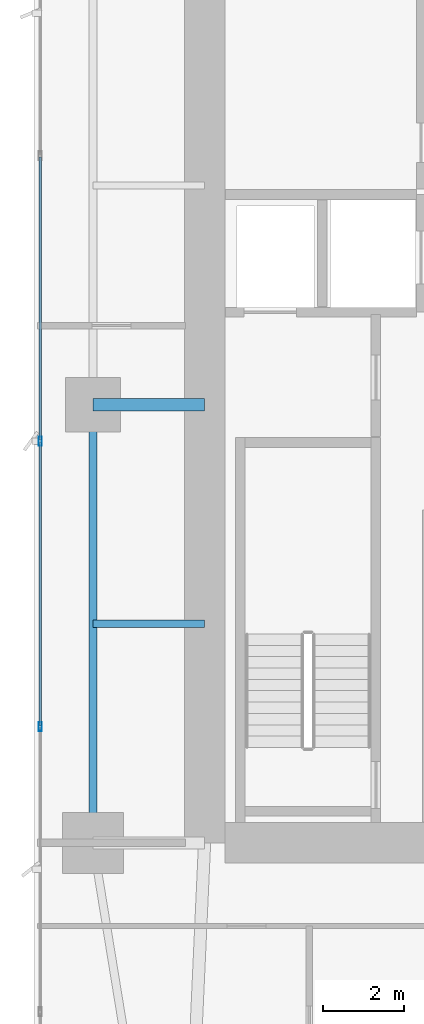
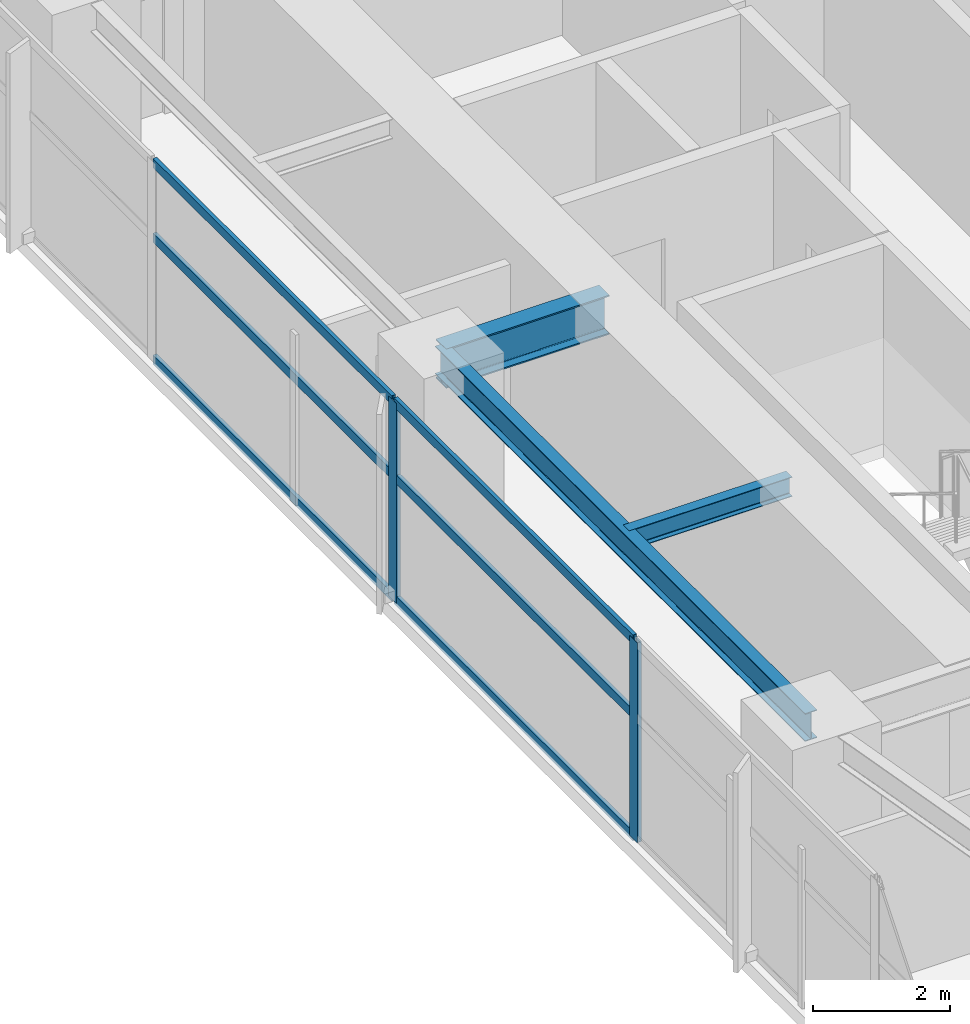
# One storey, part 8 of 29: 8 members, 3 beams, 1 element without a shape of its own.
"""IFC4 building model written with IfcOpenShell, lengths in metres."""

from ifc_helpers import new_model, si_unit, direction, frame, origin, origin_2d, place, context, subcontext, project, spatial, hollow_rectangle, i_section, extrude, material, layer, layer_set, material_profile, profile_set, type_object, element, aggregate, save


model = new_model("IFC4")

# Units and contexts
model_context = context("Model", 3, precision=1e-05, world=origin(), true_north=direction((0.0, 1.0)))
body_context = subcontext(model_context, "Body", "Model", "MODEL_VIEW")
ifc_project = project(units=[si_unit("LENGTHUNIT", "METRE"), si_unit("AREAUNIT", "SQUARE_METRE"), si_unit("VOLUMEUNIT", "CUBIC_METRE"), si_unit("PLANEANGLEUNIT", "RADIAN"), si_unit("MASSUNIT", "GRAM", prefix="KILO")], contexts=[model_context])

# Site, building, storey
site_placement = place(None, origin())
site = spatial("IfcSite", under=ifc_project, at=site_placement, CompositionType="ELEMENT")
building_placement = place(site_placement, origin())
building = spatial("IfcBuilding", under=site, at=building_placement, Name="Calvorn Quay Hotel", CompositionType="ELEMENT")
storey_placement = place(building_placement, frame((0.0, 0.0, 58.39990234375)))
storey = spatial("IfcBuildingStorey", under=building, at=storey_placement, Name="L13", CompositionType="ELEMENT", Elevation=58.39990234375)

# Beams
ifc_material_1 = material(Name="Steel Q390GJC", Category="steel")
ifc_material_profile_1 = material_profile(ifc_material_1, i_section(OverallWidth=0.300048828125, OverallDepth=0.699951171875, WebThickness=0.012939453125, FlangeThickness=0.02392578125, FilletRadius=0.02392578125, at=origin_2d()), Name="HN700x300x13x24")
ifc_profile_set_1 = profile_set([ifc_material_profile_1], Name="Steel Q390GJC")
beam_type_1 = type_object("IfcBeamType", Name="BM-GIRD-MAIN", PredefinedType="BEAM", material=ifc_profile_set_1)
beam_1_placement = place(storey_placement, frame((1.449951171875, 27.60009765625, 3.190185546875), z_axis=(1.0, 0.0, 0.0), x_axis=(0.0, 1.0, 0.0)))
element("IfcBeam", 1, at=beam_1_placement, inside=storey, type_object=beam_type_1, Name="Beam BG-L13-W2", PredefinedType="BEAM", context=body_context, shape_type="SweptSolid", body=[
    extrude(i_section(OverallWidth=0.300048828125, OverallDepth=0.699951171875, WebThickness=0.012939453125, FlangeThickness=0.02392578125, FilletRadius=0.02392578125, at=origin_2d()), origin(), (0.0, 0.0, 1.0), 2.75),
])
ifc_material_2 = material(Name="Steel Q355B", Category="steel")
ifc_material_profile_2 = material_profile(ifc_material_2, i_section(OverallWidth=0.175048828125, OverallDepth=0.35009765625, WebThickness=0.007080078125, FlangeThickness=0.010986328125, FilletRadius=0.013916015625, at=origin_2d()), Name="HN350x175x7x11")
ifc_profile_set_2 = profile_set([ifc_material_profile_2], Name="Steel Q355B")
beam_type_2 = type_object("IfcBeamType", Name="BM-JOIST-SEC", PredefinedType="JOIST", material=ifc_profile_set_2)
beam_2_placement = place(storey_placement, frame((1.449951171875, 22.199951171875, 3.364990234375), z_axis=(1.0, 0.0, 0.0), x_axis=(0.0, 1.0, 0.0)))
element("IfcBeam", 2, at=beam_2_placement, inside=storey, type_object=beam_type_2, Name="Beam BJ-L13-W3", PredefinedType="JOIST", context=body_context, shape_type="SweptSolid", body=[
    extrude(i_section(OverallWidth=0.175048828125, OverallDepth=0.35009765625, WebThickness=0.007080078125, FlangeThickness=0.010986328125, FilletRadius=0.013916015625, at=origin_2d()), origin(), (0.0, 0.0, 1.0), 2.75),
])
ifc_material_3 = material(Name="Steel Q355B", Category="steel")
ifc_material_profile_3 = material_profile(ifc_material_3, i_section(OverallWidth=0.199951171875, OverallDepth=0.5, WebThickness=0.010009765625, FlangeThickness=0.01611328125, FilletRadius=0.01611328125, at=origin_2d()), Name="HN500x200x10x16")
ifc_profile_set_3 = profile_set([ifc_material_profile_3], Name="Steel Q355B")
beam_type_3 = type_object("IfcBeamType", Name="BM-SPANDREL-Z1", PredefinedType="SPANDREL", material=ifc_profile_set_3)
beam_3_placement = place(storey_placement, frame((1.449951171875, 16.800048828125, 3.2900390625), z_axis=(0.0, 1.0, 0.0), x_axis=(-1.0, 0.0, 0.0)))
element("IfcBeam", 3, at=beam_3_placement, inside=storey, type_object=beam_type_3, Name="Beam BSP-L13-W2", PredefinedType="SPANDREL", context=body_context, shape_type="SweptSolid", body=[
    extrude(i_section(OverallWidth=0.199951171875, OverallDepth=0.5, WebThickness=0.010009765625, FlangeThickness=0.01611328125, FilletRadius=0.01611328125, at=origin_2d()), origin(), (0.0, 0.0, 1.0), 10.800048828125),
])

# Curtain wall, members
ifc_material_4 = material(Name="Pale Anodised Aluminium and Low-E Glass", Category="aluminium")
ifc_layer = layer(ifc_material_4, 0.219970703125)
ifc_layer_set = layer_set([ifc_layer], Name="CW-SYS-Z1")
curtain_wall_type = type_object("IfcCurtainWallType", Name="CW-SYS-Z1", PredefinedType="NOTDEFINED", material=ifc_layer_set)
curtain_wall_placement = place(storey_placement, origin())
curtain_wall = element("IfcCurtainWall", 4, at=curtain_wall_placement, inside=storey, type_object=curtain_wall_type, Name="Tower West Curtain Wall (L13)", PredefinedType="NOTDEFINED")
ifc_material_5 = material(Name="Pale Anodised Aluminium 6063-T6", Category="aluminium")
ifc_material_profile_4 = material_profile(ifc_material_5, hollow_rectangle(XDim=0.074951171875, YDim=0.219970703125, WallThickness=0.00439453125, at=origin_2d()), Name="ALU-M220x75x4.5")
ifc_profile_set_4 = profile_set([ifc_material_profile_4], Name="Pale Anodised Aluminium 6063-T6")
member_type_1 = type_object("IfcMemberType", Name="CW-SYS-Z1-MUL", PredefinedType="MULLION", material=ifc_profile_set_4)
member_1_placement = place(storey_placement, frame((0.14990234375, 19.666748046875, 0.0), z_axis=(0.0, 0.0, 1.0), x_axis=(-1.0, 0.0, 0.0)))
member_1 = element("IfcMember", 5, at=member_1_placement, type_object=member_type_1, Name="CW-L13-W mullion 3", PredefinedType="MULLION", context=body_context, shape_type="SweptSolid", body=[
    extrude(hollow_rectangle(XDim=0.074951171875, YDim=0.219970703125, WallThickness=0.00439453125, at=origin_2d()), origin(), (0.0, 0.0, 1.0), 3.56005859375),
])
member_2_placement = place(storey_placement, frame((0.14990234375, 26.699951171875, 0.0), z_axis=(0.0, 0.0, 1.0), x_axis=(-1.0, 0.0, 0.0)))
member_2 = element("IfcMember", 6, at=member_2_placement, type_object=member_type_1, Name="CW-L13-W mullion 4", PredefinedType="MULLION", context=body_context, shape_type="SweptSolid", body=[
    extrude(hollow_rectangle(XDim=0.074951171875, YDim=0.219970703125, WallThickness=0.00439453125, at=origin_2d()), origin(), (0.0, 0.0, 1.0), 3.56005859375),
])
ifc_material_6 = material(Name="Pale Anodised Aluminium 6063-T6", Category="aluminium")
ifc_material_profile_5 = material_profile(ifc_material_6, hollow_rectangle(XDim=0.06494140625, YDim=0.1650390625, WallThickness=0.00341796875, at=origin_2d()), Name="ALU-T165x65x3.5")
ifc_profile_set_5 = profile_set([ifc_material_profile_5], Name="Pale Anodised Aluminium 6063-T6")
member_type_2 = type_object("IfcMemberType", Name="CW-SYS-Z1-TRN", PredefinedType="USERDEFINED", material=ifc_profile_set_5)
member_3_placement = place(storey_placement, frame((0.14990234375, 19.69677734375, 0.030029296875), z_axis=(0.0, 1.0, 0.0), x_axis=(-1.0, 0.0, 0.0)))
member_3 = element("IfcMember", 7, at=member_3_placement, type_object=member_type_2, Name="CW-L13-W transom 3.1", ObjectType="TRANSOM", PredefinedType="USERDEFINED", context=body_context, shape_type="SweptSolid", body=[
    extrude(hollow_rectangle(XDim=0.06494140625, YDim=0.1650390625, WallThickness=0.00341796875, at=origin_2d()), origin(), (0.0, 0.0, 1.0), 6.97314453125),
])
member_4_placement = place(storey_placement, frame((0.14990234375, 19.69677734375, 2.2001953125), z_axis=(0.0, 1.0, 0.0), x_axis=(-1.0, 0.0, 0.0)))
member_4 = element("IfcMember", 8, at=member_4_placement, type_object=member_type_2, Name="CW-L13-W transom 3.2", ObjectType="TRANSOM", PredefinedType="USERDEFINED", context=body_context, shape_type="SweptSolid", body=[
    extrude(hollow_rectangle(XDim=0.06494140625, YDim=0.1650390625, WallThickness=0.00341796875, at=origin_2d()), origin(), (0.0, 0.0, 1.0), 6.97314453125),
])
member_5_placement = place(storey_placement, frame((0.14990234375, 19.69677734375, 3.530029296875), z_axis=(0.0, 1.0, 0.0), x_axis=(-1.0, 0.0, 0.0)))
member_5 = element("IfcMember", 9, at=member_5_placement, type_object=member_type_2, Name="CW-L13-W transom 3.3", ObjectType="TRANSOM", PredefinedType="USERDEFINED", context=body_context, shape_type="SweptSolid", body=[
    extrude(hollow_rectangle(XDim=0.06494140625, YDim=0.1650390625, WallThickness=0.00341796875, at=origin_2d()), origin(), (0.0, 0.0, 1.0), 6.97314453125),
])
member_6_placement = place(storey_placement, frame((0.14990234375, 26.72998046875, 0.030029296875), z_axis=(0.0, 1.0, 0.0), x_axis=(-1.0, 0.0, 0.0)))
member_6 = element("IfcMember", 10, at=member_6_placement, type_object=member_type_2, Name="CW-L13-W transom 4.1", ObjectType="TRANSOM", PredefinedType="USERDEFINED", context=body_context, shape_type="SweptSolid", body=[
    extrude(hollow_rectangle(XDim=0.06494140625, YDim=0.1650390625, WallThickness=0.00341796875, at=origin_2d()), origin(), (0.0, 0.0, 1.0), 6.973388671875),
])
member_7_placement = place(storey_placement, frame((0.14990234375, 26.72998046875, 2.2001953125), z_axis=(0.0, 1.0, 0.0), x_axis=(-1.0, 0.0, 0.0)))
member_7 = element("IfcMember", 11, at=member_7_placement, type_object=member_type_2, Name="CW-L13-W transom 4.2", ObjectType="TRANSOM", PredefinedType="USERDEFINED", context=body_context, shape_type="SweptSolid", body=[
    extrude(hollow_rectangle(XDim=0.06494140625, YDim=0.1650390625, WallThickness=0.00341796875, at=origin_2d()), origin(), (0.0, 0.0, 1.0), 6.973388671875),
])
member_8_placement = place(storey_placement, frame((0.14990234375, 26.72998046875, 3.530029296875), z_axis=(0.0, 1.0, 0.0), x_axis=(-1.0, 0.0, 0.0)))
member_8 = element("IfcMember", 12, at=member_8_placement, type_object=member_type_2, Name="CW-L13-W transom 4.3", ObjectType="TRANSOM", PredefinedType="USERDEFINED", context=body_context, shape_type="SweptSolid", body=[
    extrude(hollow_rectangle(XDim=0.06494140625, YDim=0.1650390625, WallThickness=0.00341796875, at=origin_2d()), origin(), (0.0, 0.0, 1.0), 6.973388671875),
])
aggregate(curtain_wall, [member_1, member_2, member_3, member_4, member_5, member_6, member_7, member_8])

save(model, "model.ifc")
